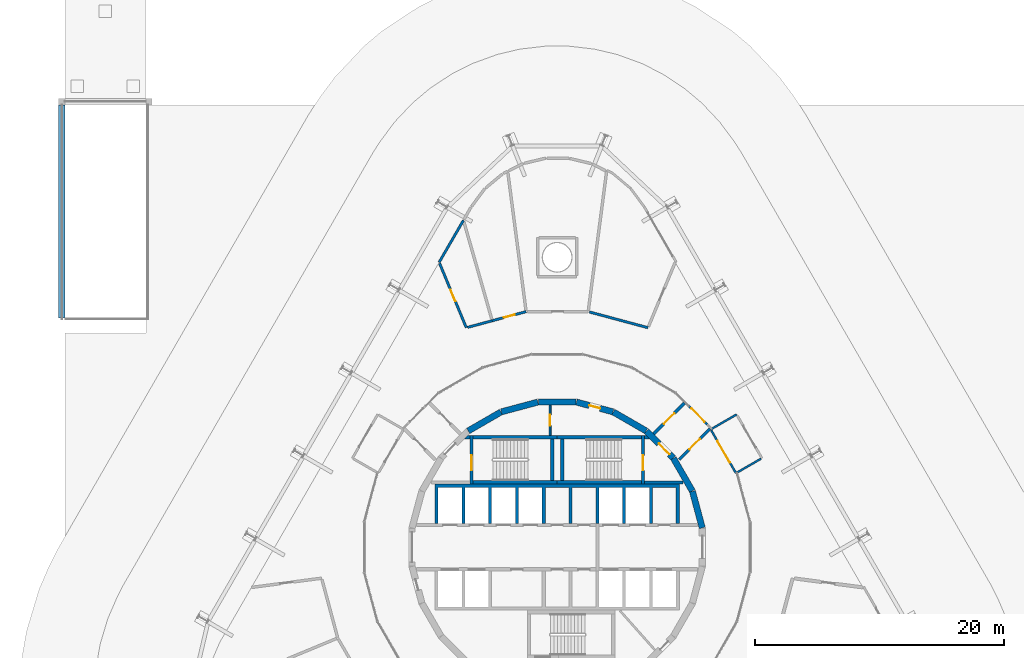
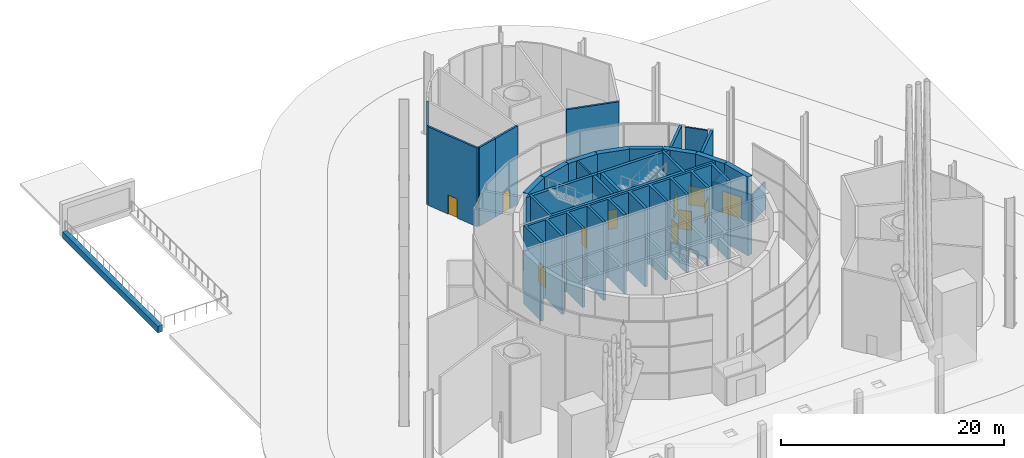
# One storey, part 17 of 21: 33 walls, 11 doors, 11 openings.
"""IFC4 building model written with IfcOpenShell, lengths in metres."""

from ifc_helpers import new_model, si_unit, direction, frame, frame_2d, origin, place, context, subcontext, project, spatial, polyline, rectangle, outline, extrude, material, layer, layer_set, type_object, element, fill, save


model = new_model("IFC4")

# Units and contexts
model_context = context("Model", 3, precision=1e-05, world=origin(), true_north=direction((0.0, 1.0)))
body_context = subcontext(model_context, "Body", "Model", "MODEL_VIEW")
ifc_project = project(units=[si_unit("LENGTHUNIT", "METRE"), si_unit("AREAUNIT", "SQUARE_METRE"), si_unit("VOLUMEUNIT", "CUBIC_METRE"), si_unit("PLANEANGLEUNIT", "RADIAN"), si_unit("MASSUNIT", "GRAM", prefix="KILO")], contexts=[model_context])

# Site, building, storey
site_placement = place(None, origin())
site = spatial("IfcSite", under=ifc_project, at=site_placement, CompositionType="ELEMENT")
building_placement = place(site_placement, origin())
building = spatial("IfcBuilding", under=site, at=building_placement, Name="Spindle Arch Residences", CompositionType="ELEMENT")
storey_placement = place(building_placement, origin())
storey = spatial("IfcBuildingStorey", under=building, at=storey_placement, Name="L00", CompositionType="ELEMENT", Elevation=0.0)

# Walls
ifc_material_1 = material(Name="Concrete C50/60", Category="concrete")
ifc_layer_1 = layer(ifc_material_1, 0.5)
ifc_layer_set_1 = layer_set([ifc_layer_1], Name="Core outline wall 500")
wall_type_1 = type_object("IfcWallType", Name="Core outline wall 500", PredefinedType="SHEAR", material=ifc_layer_set_1)
for number, where, z_axis, x_axis, name in (
    (1, (11.642822265625, 1.5498046875, 0.0), (0.0, 0.0, 1.0), (-0.258734743916, 0.965948410781, 0.0), "Core outline wall 7"),
    (2, (10.84521484375, 4.510498046875, 0.0), (0.0, 0.0, 1.0), (-0.500087131594, 0.865975092491, 0.0), "Core outline wall 8"),
):
    element("IfcWall", number, at=place(storey_placement, frame(where, z_axis=z_axis, x_axis=x_axis)), inside=storey, type_object=wall_type_1, Name=name, PredefinedType="SHEAR", context=body_context, shape_type="SweptSolid", body=[
        extrude(rectangle(XDim=3.03271484375, YDim=0.5, at=frame_2d((1.516357421875, 0.0))), origin(), (0.0, 0.0, 1.0), 8.6201171875),
    ])

# Wall, opening, door
wall_1_placement = place(storey_placement, frame((9.30810546875, 7.163818359375, 0.0), z_axis=(0.0, 0.0, 1.0), x_axis=(-0.707106781187, 0.707106781187, 0.0)))
wall_1 = element("IfcWall", 3, at=wall_1_placement, inside=storey, type_object=wall_type_1, Name="Core outline wall 9", PredefinedType="SHEAR", context=body_context, shape_type="SweptSolid", body=[
    extrude(rectangle(XDim=3.032470703125, YDim=0.5, at=frame_2d((1.51611328125, 0.0))), origin(), (0.0, 0.0, 1.0), 8.6201171875),
])
opening_1_placement = place(wall_1_placement, frame((0.416259765625, 0.0, 0.0)))
opening_1 = element("IfcOpeningElement", 4, at=opening_1_placement, cuts=wall_1, Name="Opening L00-AD01", PredefinedType="OPENING", context=body_context, shape_type="SweptSolid", body=[
    extrude(rectangle(XDim=1.199951171875, YDim=2.10009765625, at=frame_2d((0.60009765625, 1.050048828125))), frame((0.0, 0.260009765625, 0.0), z_axis=(0.0, -1.0, 0.0), x_axis=(1.0, 0.0, 0.0)), (0.0, 0.0, 1.0), 0.52001953125),
])
ifc_material_2 = material(Name="Steel, fire-resisting door", Category="steel")
door_type_1 = type_object("IfcDoorType", Name="Stair airlock door 1200x2100", OperationType="SINGLE_SWING_LEFT", PredefinedType="DOOR", material=ifc_material_2)
door_1_placement = place(opening_1_placement, origin())
door_1 = element("IfcDoor", 5, at=door_1_placement, inside=storey, type_object=door_type_1, Name="Stair airlock door L00-AD01", OperationType="SINGLE_SWING_RIGHT", OverallHeight=2.10009765625, OverallWidth=1.199951171875, PredefinedType="DOOR", context=body_context, shape_type="SweptSolid", body=[
    extrude(rectangle(XDim=1.199951171875, YDim=2.10009765625, at=frame_2d((0.60009765625, 1.050048828125))), frame((0.0, 0.02490234375, 0.0), z_axis=(0.0, -1.0, 0.0), x_axis=(1.0, 0.0, 0.0)), (0.0, 0.0, 1.0), 0.050048828125),
])
fill(opening_1, door_1)

# Wall
wall_2_placement = place(storey_placement, frame((7.13671875, 9.32861328125, 0.0), z_axis=(0.0, 0.0, 1.0), x_axis=(-0.865975092491, 0.500087131594, 0.0)))
element("IfcWall", 6, at=wall_2_placement, inside=storey, type_object=wall_type_1, Name="Core outline wall 10", PredefinedType="SHEAR", context=body_context, shape_type="SweptSolid", body=[
    extrude(rectangle(XDim=3.03271484375, YDim=0.5, at=frame_2d((1.516357421875, 0.0))), origin(), (0.0, 0.0, 1.0), 8.6201171875),
])

# Wall, opening, door
wall_3_placement = place(storey_placement, frame((4.479248046875, 10.858154296875, 0.0), z_axis=(0.0, 0.0, 1.0), x_axis=(-0.965948410781, 0.258734743916, 0.0)))
wall_3 = element("IfcWall", 7, at=wall_3_placement, inside=storey, type_object=wall_type_1, Name="Core outline wall 11", PredefinedType="SHEAR", context=body_context, shape_type="SweptSolid", body=[
    extrude(rectangle(XDim=3.03271484375, YDim=0.5, at=frame_2d((1.516357421875, 0.0))), origin(), (0.0, 0.0, 1.0), 8.6201171875),
])
opening_2_placement = place(wall_3_placement, frame((1.066162109375, 0.0, 0.0)))
opening_2 = element("IfcOpeningElement", 8, at=opening_2_placement, cuts=wall_3, Name="Opening L00-WD12", PredefinedType="OPENING", context=body_context, shape_type="SweptSolid", body=[
    extrude(rectangle(XDim=0.89990234375, YDim=2.10009765625, at=frame_2d((0.449951171875, 1.050048828125))), frame((0.0, 0.260009765625, 0.0), z_axis=(0.0, -1.0, 0.0), x_axis=(1.0, 0.0, 0.0)), (0.0, 0.0, 1.0), 0.52001953125),
])
ifc_material_3 = material(Name="Steel, fire-resisting door", Category="steel")
door_type_2 = type_object("IfcDoorType", Name="Service room door 900x2100", OperationType="SINGLE_SWING_LEFT", PredefinedType="DOOR", material=ifc_material_3)
door_2_placement = place(opening_2_placement, origin())
door_2 = element("IfcDoor", 9, at=door_2_placement, inside=storey, type_object=door_type_2, Name="Service room door L00-WD12", OperationType="SINGLE_SWING_LEFT", OverallHeight=2.10009765625, OverallWidth=0.89990234375, PredefinedType="DOOR", context=body_context, shape_type="SweptSolid", body=[
    extrude(rectangle(XDim=0.89990234375, YDim=2.10009765625, at=frame_2d((0.449951171875, 1.050048828125))), frame((0.0, 0.02490234375, 0.0), z_axis=(0.0, -1.0, 0.0), x_axis=(1.0, 0.0, 0.0)), (0.0, 0.0, 1.0), 0.050048828125),
])
fill(opening_2, door_2)

# Walls
for number, where, z_axis, x_axis, name in (
    (10, (1.516357421875, 11.647216796875, 0.0), (0.0, 0.0, 1.0), (-1.0, 0.0, 0.0), "Core outline wall 12"),
    (11, (-1.5498046875, 11.642822265625, 0.0), (0.0, 0.0, 1.0), (-0.965948410781, -0.258734743916, 0.0), "Core outline wall 13"),
    (12, (-4.510498046875, 10.84521484375, 0.0), (0.0, 0.0, 1.0), (-0.865975092491, -0.500087131594, 0.0), "Core outline wall 14"),
):
    element("IfcWall", number, at=place(storey_placement, frame(where, z_axis=z_axis, x_axis=x_axis)), inside=storey, type_object=wall_type_1, Name=name, PredefinedType="SHEAR", context=body_context, shape_type="SweptSolid", body=[
        extrude(rectangle(XDim=3.03271484375, YDim=0.5, at=frame_2d((1.516357421875, 0.0))), origin(), (0.0, 0.0, 1.0), 8.6201171875),
    ])

# Wall, opening, door
ifc_material_4 = material(Name="Non-combustible mineral wool insulated aluminium faced external wall (K0)", Category="aluminium")
ifc_layer_2 = layer(ifc_material_4, 0.159912109375)
ifc_layer_set_2 = layer_set([ifc_layer_2], Name="Exit door wall 160")
wall_type_2 = type_object("IfcWallType", Name="Exit door wall 160", PredefinedType="STANDARD", material=ifc_layer_set_2)
wall_4_placement = place(storey_placement, frame((10.56201171875, 11.3251953125, 0.0), z_axis=(0.0, 0.0, 1.0), x_axis=(0.707106781187, -0.707106781187, 0.0)))
wall_4 = element("IfcWall", 13, at=wall_4_placement, inside=storey, type_object=wall_type_2, Name="Stair exit wall NE", PredefinedType="STANDARD", context=body_context, shape_type="SweptSolid", body=[
    extrude(rectangle(XDim=2.099853515625, YDim=0.159912109375, at=frame_2d((1.0498046875, 0.0))), origin(), (0.0, 0.0, 1.0), 8.5),
])
opening_3_placement = place(wall_4_placement, frame((0.300048828125, 0.0, 0.0)))
opening_3 = element("IfcOpeningElement", 14, at=opening_3_placement, cuts=wall_4, Name="Opening STAIR-EXIT-NE", PredefinedType="OPENING", context=body_context, shape_type="SweptSolid", body=[
    extrude(rectangle(XDim=1.5, YDim=2.10009765625, at=frame_2d((0.75, 1.050048828125))), frame((0.0, 0.08984375, 0.0), z_axis=(0.0, -1.0, 0.0), x_axis=(1.0, 0.0, 0.0)), (0.0, 0.0, 1.0), 0.179931640625),
])
ifc_material_5 = material(Name="Fire-resisting bronze aluminium frame and glazed leaves", Category="aluminium")
door_type_3 = type_object("IfcDoorType", Name="Stair exit door EI 60 1500x2100", OperationType="DOUBLE_DOOR_SINGLE_SWING", PredefinedType="DOOR", material=ifc_material_5)
door_3_placement = place(opening_3_placement, origin())
door_3 = element("IfcDoor", 15, at=door_3_placement, inside=storey, type_object=door_type_3, Name="Stair exit door NE", OperationType="DOUBLE_DOOR_SINGLE_SWING", OverallHeight=2.10009765625, OverallWidth=1.5, PredefinedType="DOOR", context=body_context, shape_type="SweptSolid", body=[
    extrude(rectangle(XDim=1.5, YDim=2.10009765625, at=frame_2d((0.75, 1.050048828125))), frame((0.0, 0.02490234375, 0.0), z_axis=(0.0, -1.0, 0.0), x_axis=(1.0, 0.0, 0.0)), (0.0, 0.0, 1.0), 0.050048828125),
])
fill(opening_3, door_3)

# Walls
ifc_material_6 = material(Name="Concrete C50/60", Category="concrete")
wall_type_3 = type_object("IfcWallType", Name="Lift shaft wall profile", PredefinedType="SHEAR", material=ifc_material_6)
wall_5_placement = place(storey_placement, origin())
element("IfcWall", 16, at=wall_5_placement, inside=storey, type_object=wall_type_3, Name="Lift shaft walls N", PredefinedType="SHEAR", context=body_context, shape_type="SweptSolid", body=[
    extrude(outline(polyline([(-9.550048828125, 4.800048828125), (-7.64990234375, 4.800048828125), (-7.64990234375, 1.89990234375), (-7.39990234375, 1.89990234375), (-7.39990234375, 4.800048828125), (-5.5, 4.800048828125), (-5.5, 1.89990234375), (-5.25, 1.89990234375), (-5.25, 4.800048828125), (-3.35009765625, 4.800048828125), (-3.35009765625, 1.89990234375), (-3.10009765625, 1.89990234375), (-3.10009765625, 4.800048828125), (-1.199951171875, 4.800048828125), (-1.199951171875, 1.89990234375), (-0.949951171875, 1.89990234375), (-0.949951171875, 4.800048828125), (0.949951171875, 4.800048828125), (0.949951171875, 1.89990234375), (1.199951171875, 1.89990234375), (1.199951171875, 4.800048828125), (3.10009765625, 4.800048828125), (3.10009765625, 1.89990234375), (3.35009765625, 1.89990234375), (3.35009765625, 4.800048828125), (5.25, 4.800048828125), (5.25, 1.89990234375), (5.5, 1.89990234375), (5.5, 4.800048828125), (7.39990234375, 4.800048828125), (7.39990234375, 1.89990234375), (7.64990234375, 1.89990234375), (7.64990234375, 4.800048828125), (9.550048828125, 4.800048828125), (9.550048828125, 1.89990234375), (9.800048828125, 1.89990234375), (9.800048828125, 4.800048828125), (9.800048828125, 5.050048828125), (-9.800048828125, 5.050048828125), (-9.800048828125, 4.800048828125), (-9.800048828125, 1.89990234375), (-9.550048828125, 1.89990234375), (-9.550048828125, 4.800048828125)])), origin(), (0.0, 0.0, 1.0), 8.6201171875),
])
ifc_material_7 = material(Name="Concrete C40/50 wall with non-combustible insulated cladding (K0)", Category="concrete")
ifc_layer_3 = layer(ifc_material_7, 0.159912109375)
ifc_layer_set_3 = layer_set([ifc_layer_3], Name="Partition E 60 160 external")
wall_type_4 = type_object("IfcWallType", Name="Partition E 60 160 external", PredefinedType="PARTITIONING", material=ifc_layer_set_3)
wall_6_placement = place(storey_placement, frame((12.320068359375, 9.449951171875, 0.0), z_axis=(0.0, 0.0, 1.0), x_axis=(0.866177122335, 0.499737123639, 0.0)))
element("IfcWall", 17, at=wall_6_placement, inside=storey, type_object=wall_type_4, Name="L00-W047", PredefinedType="PARTITIONING", context=body_context, shape_type="SweptSolid", body=[
    extrude(rectangle(XDim=2.401123046875, YDim=0.159912109375, at=frame_2d((1.20068359375, 0.0))), origin(), (0.0, 0.0, 1.0), 3.0),
])

# Wall, opening, door
wall_7_placement = place(storey_placement, frame((14.35009765625, 5.93994140625, 0.0), z_axis=(0.0, 0.0, 1.0), x_axis=(-0.500636730463, 0.865657475051, 0.0)))
wall_7 = element("IfcWall", 18, at=wall_7_placement, inside=storey, type_object=wall_type_4, Name="L00-W048", PredefinedType="PARTITIONING", context=body_context, shape_type="SweptSolid", body=[
    extrude(rectangle(XDim=3.974853515625, YDim=0.159912109375, at=frame_2d((1.9873046875, 0.0))), origin(), (0.0, 0.0, 1.0), 3.0),
])
opening_4_placement = place(wall_7_placement, frame((0.9873046875, 0.0, 0.0)))
opening_4 = element("IfcOpeningElement", 19, at=opening_4_placement, cuts=wall_7, Name="Opening L00-D10", PredefinedType="OPENING", context=body_context, shape_type="SweptSolid", body=[
    extrude(rectangle(XDim=2.0, YDim=2.39990234375, at=frame_2d((1.0, 1.199951171875))), frame((0.0, 0.08984375, 0.0), z_axis=(0.0, -1.0, 0.0), x_axis=(1.0, 0.0, 0.0)), (0.0, 0.0, 1.0), 0.179931640625),
])
ifc_material_8 = material(Name="Bronze aluminium frame, toughened tinted glass", Category="aluminium")
door_type_4 = type_object("IfcDoorType", Name="Lobby entrance double door EI 60 2000x2400", OperationType="DOUBLE_DOOR_SINGLE_SWING", PredefinedType="DOOR", material=ifc_material_8)
door_4_placement = place(opening_4_placement, origin())
door_4 = element("IfcDoor", 20, at=door_4_placement, inside=storey, type_object=door_type_4, Name="L00-D10", OperationType="DOUBLE_DOOR_SINGLE_SWING", OverallHeight=2.39990234375, OverallWidth=2.0, PredefinedType="DOOR", context=body_context, shape_type="SweptSolid", body=[
    extrude(rectangle(XDim=2.0, YDim=2.39990234375, at=frame_2d((1.0, 1.199951171875))), frame((0.0, 0.02490234375, 0.0), z_axis=(0.0, -1.0, 0.0), x_axis=(1.0, 0.0, 0.0)), (0.0, 0.0, 1.0), 0.050048828125),
])
fill(opening_4, door_4)

# Walls
wall_8_placement = place(storey_placement, frame((16.360595703125, 7.10009765625, 0.0), z_axis=(0.0, 0.0, 1.0), x_axis=(-0.866171078478, -0.499747599102, 0.0)))
element("IfcWall", 21, at=wall_8_placement, inside=storey, type_object=wall_type_4, Name="L00-W053", PredefinedType="PARTITIONING", context=body_context, shape_type="SweptSolid", body=[
    extrude(rectangle(XDim=2.241455078125, YDim=0.159912109375, at=frame_2d((1.12060546875, 0.0))), origin(), (0.0, 0.0, 1.0), 3.0),
])
ifc_material_9 = material(Name="Gypsum board partition on steel studs", Category="steel")
ifc_layer_4 = layer(ifc_material_9, 0.199951171875)
ifc_layer_set_4 = layer_set([ifc_layer_4], Name="Partition EI 60 200 amenity")
wall_type_5 = type_object("IfcWallType", Name="Partition EI 60 200 amenity", PredefinedType="PARTITIONING", material=ifc_layer_set_4)
wall_9_placement = place(storey_placement, frame((-9.469970703125, 22.860107421875, 0.0), z_axis=(0.0, 0.0, 1.0), x_axis=(0.500838510154, 0.865540748172, 0.0)))
element("IfcWall", 22, at=wall_9_placement, inside=storey, type_object=wall_type_5, Name="L00-W017", PredefinedType="PARTITIONING", context=body_context, shape_type="SweptSolid", body=[
    extrude(rectangle(XDim=3.893310546875, YDim=0.199951171875, at=frame_2d((1.94677734375, 0.0))), origin(), (0.0, 0.0, 1.0), 8.6201171875),
])

# Wall, opening, door
wall_10_placement = place(storey_placement, frame((-7.2900390625, 17.610107421875, 0.0), z_axis=(0.0, 0.0, 1.0), x_axis=(-0.38349447123, 0.923543171994, 0.0)))
wall_10 = element("IfcWall", 23, at=wall_10_placement, inside=storey, type_object=wall_type_5, Name="L00-W019", PredefinedType="PARTITIONING", context=body_context, shape_type="SweptSolid", body=[
    extrude(rectangle(XDim=5.58447265625, YDim=0.199951171875, at=frame_2d((2.792236328125, 0.0))), origin(), (0.0, 0.0, 1.0), 8.6201171875),
])
opening_5_placement = place(wall_10_placement, frame((2.292236328125, 0.0, 0.0)))
opening_5 = element("IfcOpeningElement", 24, at=opening_5_placement, cuts=wall_10, Name="Opening L00-D12", PredefinedType="OPENING", context=body_context, shape_type="SweptSolid", body=[
    extrude(rectangle(XDim=1.0, YDim=2.10009765625, at=frame_2d((0.5, 1.050048828125))), frame((0.0, 0.10986328125, 0.0), z_axis=(0.0, -1.0, 0.0), x_axis=(1.0, 0.0, 0.0)), (0.0, 0.0, 1.0), 0.219970703125),
])
ifc_material_10 = material(Name="Timber door leaf", Category="wood")
door_type_5 = type_object("IfcDoorType", Name="Door 1000x2100 EI 30", OperationType="SINGLE_SWING_LEFT", PredefinedType="DOOR", material=ifc_material_10)
door_5_placement = place(opening_5_placement, origin())
door_5 = element("IfcDoor", 25, at=door_5_placement, inside=storey, type_object=door_type_5, Name="L00-D12", OperationType="SINGLE_SWING_LEFT", OverallHeight=2.10009765625, OverallWidth=1.0, PredefinedType="DOOR", context=body_context, shape_type="SweptSolid", body=[
    extrude(rectangle(XDim=1.0, YDim=2.10009765625, at=frame_2d((0.5, 1.050048828125))), frame((0.0, 0.02490234375, 0.0), z_axis=(0.0, -1.0, 0.0), x_axis=(1.0, 0.0, 0.0)), (0.0, 0.0, 1.0), 0.050048828125),
])
fill(opening_5, door_5)

# Wall
wall_11_placement = place(storey_placement, frame((-5.2099609375, 18.169921875, 0.0), z_axis=(0.0, 0.0, 1.0), x_axis=(-0.965622643893, -0.259947897858, 0.0)))
element("IfcWall", 26, at=wall_11_placement, inside=storey, type_object=wall_type_5, Name="L00-W023", PredefinedType="PARTITIONING", context=body_context, shape_type="SweptSolid", body=[
    extrude(rectangle(XDim=2.053955078125, YDim=0.199951171875, at=frame_2d((1.02685546875, 0.0))), origin(), (0.0, 0.0, 1.0), 8.6201171875),
])

# Wall, opening, door
wall_12_placement = place(storey_placement, frame((-2.489990234375, 18.89990234375, 0.0), z_axis=(0.0, 0.0, 1.0), x_axis=(-0.965822195796, -0.25920549012, 0.0)))
wall_12 = element("IfcWall", 27, at=wall_12_placement, inside=storey, type_object=wall_type_5, Name="L00-W027", PredefinedType="PARTITIONING", context=body_context, shape_type="SweptSolid", body=[
    extrude(rectangle(XDim=2.816162109375, YDim=0.199951171875, at=frame_2d((1.408203125, 0.0))), origin(), (0.0, 0.0, 1.0), 8.6201171875),
])
opening_6_placement = place(wall_12_placement, frame((0.9580078125, 0.0, 0.0)))
opening_6 = element("IfcOpeningElement", 28, at=opening_6_placement, cuts=wall_12, Name="Opening L00-D14", PredefinedType="OPENING", context=body_context, shape_type="SweptSolid", body=[
    extrude(rectangle(XDim=0.89990234375, YDim=2.10009765625, at=frame_2d((0.449951171875, 1.050048828125))), frame((0.0, 0.10986328125, 0.0), z_axis=(0.0, -1.0, 0.0), x_axis=(1.0, 0.0, 0.0)), (0.0, 0.0, 1.0), 0.219970703125),
])
ifc_material_11 = material(Name="Timber door leaf", Category="wood")
door_type_6 = type_object("IfcDoorType", Name="Door 900x2100 EI 30", OperationType="SINGLE_SWING_LEFT", PredefinedType="DOOR", material=ifc_material_11)
door_6_placement = place(opening_6_placement, origin())
door_6 = element("IfcDoor", 29, at=door_6_placement, inside=storey, type_object=door_type_6, Name="L00-D14", OperationType="SINGLE_SWING_LEFT", OverallHeight=2.10009765625, OverallWidth=0.89990234375, PredefinedType="DOOR", context=body_context, shape_type="SweptSolid", body=[
    extrude(rectangle(XDim=0.89990234375, YDim=2.10009765625, at=frame_2d((0.449951171875, 1.050048828125))), frame((0.0, 0.02490234375, 0.0), z_axis=(0.0, -1.0, 0.0), x_axis=(1.0, 0.0, 0.0)), (0.0, 0.0, 1.0), 0.050048828125),
])
fill(opening_6, door_6)

# Wall
wall_13_placement = place(storey_placement, frame((7.2900390625, 17.610107421875, 0.0), z_axis=(0.0, 0.0, 1.0), x_axis=(-0.965738104821, 0.259518617631, 0.0)))
element("IfcWall", 30, at=wall_13_placement, inside=storey, type_object=wall_type_5, Name="L00-W042", PredefinedType="PARTITIONING", context=body_context, shape_type="SweptSolid", body=[
    extrude(rectangle(XDim=4.8701171875, YDim=0.199951171875, at=frame_2d((2.43505859375, 0.0))), origin(), (0.0, 0.0, 1.0), 8.6201171875),
])

# Wall, opening, door
ifc_material_12 = material(Name="Concrete C25/30 wall", Category="concrete")
ifc_layer_5 = layer(ifc_material_12, 0.25)
ifc_layer_set_5 = layer_set([ifc_layer_5], Name="Partition REI 240 250 stair")
wall_type_6 = type_object("IfcWallType", Name="Partition REI 240 250 stair", PredefinedType="PARTITIONING", material=ifc_layer_set_5)
wall_14_placement = place(storey_placement, frame((7.739990234375, 9.080078125, 0.0), z_axis=(0.0, 0.0, 1.0), x_axis=(0.707106781187, 0.707106781187, 0.0)))
wall_14 = element("IfcWall", 31, at=wall_14_placement, inside=storey, type_object=wall_type_6, Name="L00-W043", PredefinedType="PARTITIONING", context=body_context, shape_type="SweptSolid", body=[
    extrude(rectangle(XDim=3.50732421875, YDim=0.25, at=frame_2d((1.753662109375, 0.0))), origin(), (0.0, 0.0, 1.0), 8.6201171875),
])
opening_7_placement = place(wall_14_placement, frame((1.153564453125, 0.0, 0.0)))
opening_7 = element("IfcOpeningElement", 32, at=opening_7_placement, cuts=wall_14, Name="Opening L00-D16", PredefinedType="OPENING", context=body_context, shape_type="SweptSolid", body=[
    extrude(rectangle(XDim=1.199951171875, YDim=2.10009765625, at=frame_2d((0.60009765625, 1.050048828125))), frame((0.0, 0.135009765625, 0.0), z_axis=(0.0, -1.0, 0.0), x_axis=(1.0, 0.0, 0.0)), (0.0, 0.0, 1.0), 0.27001953125),
])
ifc_material_13 = material(Name="Steel door leaf, painted", Category="steel")
door_type_7 = type_object("IfcDoorType", Name="Door 1200x2100 EI 60", OperationType="SINGLE_SWING_LEFT", PredefinedType="DOOR", material=ifc_material_13)
door_7_placement = place(opening_7_placement, origin())
door_7 = element("IfcDoor", 33, at=door_7_placement, inside=storey, type_object=door_type_7, Name="L00-D16", OperationType="SINGLE_SWING_LEFT", OverallHeight=2.10009765625, OverallWidth=1.199951171875, PredefinedType="DOOR", context=body_context, shape_type="SweptSolid", body=[
    extrude(rectangle(XDim=1.199951171875, YDim=2.10009765625, at=frame_2d((0.60009765625, 1.050048828125))), frame((0.0, 0.02490234375, 0.0), z_axis=(0.0, -1.0, 0.0), x_axis=(1.0, 0.0, 0.0)), (0.0, 0.0, 1.0), 0.050048828125),
])
fill(opening_7, door_7)

wall_15_placement = place(storey_placement, frame((12.27001953125, 9.510009765625, 0.0), z_axis=(0.0, 0.0, 1.0), x_axis=(-0.707106781187, -0.707106781187, 0.0)))
wall_15 = element("IfcWall", 34, at=wall_15_placement, inside=storey, type_object=wall_type_6, Name="L00-W046", PredefinedType="PARTITIONING", context=body_context, shape_type="SweptSolid", body=[
    extrude(rectangle(XDim=3.50732421875, YDim=0.25, at=frame_2d((1.753662109375, 0.0))), origin(), (0.0, 0.0, 1.0), 8.6201171875),
])
opening_8_placement = place(wall_15_placement, frame((1.153564453125, 0.0, 0.0)))
opening_8 = element("IfcOpeningElement", 35, at=opening_8_placement, cuts=wall_15, Name="Opening L00-D17", PredefinedType="OPENING", context=body_context, shape_type="SweptSolid", body=[
    extrude(rectangle(XDim=1.199951171875, YDim=2.10009765625, at=frame_2d((0.60009765625, 1.050048828125))), frame((0.0, 0.135009765625, 0.0), z_axis=(0.0, -1.0, 0.0), x_axis=(1.0, 0.0, 0.0)), (0.0, 0.0, 1.0), 0.27001953125),
])
door_8_placement = place(opening_8_placement, origin())
door_8 = element("IfcDoor", 36, at=door_8_placement, inside=storey, type_object=door_type_7, Name="L00-D17", OperationType="SINGLE_SWING_LEFT", OverallHeight=2.10009765625, OverallWidth=1.199951171875, PredefinedType="DOOR", context=body_context, shape_type="SweptSolid", body=[
    extrude(rectangle(XDim=1.199951171875, YDim=2.10009765625, at=frame_2d((0.60009765625, 1.050048828125))), frame((0.0, 0.02490234375, 0.0), z_axis=(0.0, -1.0, 0.0), x_axis=(1.0, 0.0, 0.0)), (0.0, 0.0, 1.0), 0.050048828125),
])
fill(opening_8, door_8)

# Wall
ifc_material_14 = material(Name="Concrete C32/40", Category="concrete")
ifc_layer_6 = layer(ifc_material_14, 0.300048828125)
ifc_layer_set_6 = layer_set([ifc_layer_6], Name="Ramp retaining wall 300")
wall_type_7 = type_object("IfcWallType", Name="Ramp retaining wall 300", PredefinedType="SOLIDWALL", material=ifc_layer_set_6)
wall_16_placement = place(storey_placement, frame((-39.75, 18.39990234375, -0.699951171875), z_axis=(0.0, 0.0, 1.0), x_axis=(0.0, 1.0, 0.0)))
element("IfcWall", 37, at=wall_16_placement, inside=storey, type_object=wall_type_7, Name="Ramp trench wall", PredefinedType="SOLIDWALL", context=body_context, shape_type="SweptSolid", body=[
    extrude(rectangle(XDim=17.10009765625, YDim=0.5, at=frame_2d((8.550048828125, 0.0))), origin(), (0.0, 0.0, 1.0), 0.699951171875),
])

# Wall, opening, door
ifc_material_15 = material(Name="Concrete C25/30", Category="concrete")
ifc_layer_7 = layer(ifc_material_15, 0.14990234375)
ifc_layer_set_7 = layer_set([ifc_layer_7], Name="Service room partition 150")
wall_type_8 = type_object("IfcWallType", Name="Service room partition 150", PredefinedType="PARTITIONING", material=ifc_layer_set_7)
wall_17_placement = place(storey_placement, frame((-0.5615234375, 8.969970703125, 0.0), z_axis=(0.0, 0.0, 1.0), x_axis=(0.0, 1.0, 0.0)))
wall_17 = element("IfcWall", 38, at=wall_17_placement, inside=storey, type_object=wall_type_8, Name="Core service room partition", PredefinedType="PARTITIONING", context=body_context, shape_type="SweptSolid", body=[
    extrude(rectangle(XDim=2.42724609375, YDim=0.14990234375, at=frame_2d((1.213623046875, 0.0))), origin(), (0.0, 0.0, 1.0), 8.6201171875),
])
opening_9_placement = place(wall_17_placement, frame((0.763671875, 0.0, 0.0)))
opening_9 = element("IfcOpeningElement", 39, at=opening_9_placement, cuts=wall_17, Name="Opening L00-WD07", PredefinedType="OPENING", context=body_context, shape_type="SweptSolid", body=[
    extrude(rectangle(XDim=0.89990234375, YDim=2.10009765625, at=frame_2d((0.449951171875, 1.050048828125))), frame((0.0, 0.0849609375, 0.0), z_axis=(0.0, -1.0, 0.0), x_axis=(1.0, 0.0, 0.0)), (0.0, 0.0, 1.0), 0.169921875),
])
door_9_placement = place(opening_9_placement, origin())
door_9 = element("IfcDoor", 40, at=door_9_placement, inside=storey, type_object=door_type_2, Name="Service room door L00-WD07", OperationType="SINGLE_SWING_RIGHT", OverallHeight=2.10009765625, OverallWidth=0.89990234375, PredefinedType="DOOR", context=body_context, shape_type="SweptSolid", body=[
    extrude(rectangle(XDim=0.89990234375, YDim=2.10009765625, at=frame_2d((0.449951171875, 1.050048828125))), frame((0.0, 0.02490234375, 0.0), z_axis=(0.0, -1.0, 0.0), x_axis=(1.0, 0.0, 0.0)), (0.0, 0.0, 1.0), 0.050048828125),
])
fill(opening_9, door_9)

# Walls
ifc_material_16 = material(Name="Concrete C40/50", Category="concrete")
ifc_layer_8 = layer(ifc_material_16, 0.25)
ifc_layer_set_8 = layer_set([ifc_layer_8], Name="Stair airlock wall 250")
wall_type_9 = type_object("IfcWallType", Name="Stair airlock wall 250", PredefinedType="SHEAR", material=ifc_layer_set_8)
wall_18_placement = place(storey_placement, frame((7.0, 5.175048828125, 0.0), z_axis=(0.0, 0.0, 1.0), x_axis=(1.0, 0.0, 0.0)))
element("IfcWall", 41, at=wall_18_placement, inside=storey, type_object=wall_type_9, Name="Stair ST-1 airlock wall S", PredefinedType="SHEAR", context=body_context, shape_type="SweptSolid", body=[
    extrude(rectangle(XDim=3.10009765625, YDim=0.25, at=frame_2d((1.550048828125, 0.0))), origin(), (0.0, 0.0, 1.0), 8.6201171875),
])
ifc_material_17 = material(Name="Concrete C40/50", Category="concrete")
wall_type_10 = type_object("IfcWallType", Name="Stair airlock wall profile", PredefinedType="SHEAR", material=ifc_material_17)
wall_19_placement = place(storey_placement, origin())
element("IfcWall", 42, at=wall_19_placement, inside=storey, type_object=wall_type_10, Name="Stair ST-1 airlock wall N", PredefinedType="SHEAR", context=body_context, shape_type="SweptSolid", body=[
    extrude(outline(polyline([(7.4482421875, 8.669921875), (7.0, 8.669921875), (7.0, 8.969970703125), (7.148193359375, 8.969970703125), (7.4482421875, 8.669921875)])), origin(), (0.0, 0.0, 1.0), 8.6201171875),
])
wall_20_placement = place(storey_placement, origin())
element("IfcWall", 43, at=wall_20_placement, inside=storey, type_object=wall_type_10, Name="Stair ST-2 airlock wall N", PredefinedType="SHEAR", context=body_context, shape_type="SweptSolid", body=[
    extrude(outline(polyline([(-7.148193359375, 8.969970703125), (-7.0, 8.969970703125), (-7.0, 8.669921875), (-7.4482421875, 8.669921875), (-7.148193359375, 8.969970703125)])), origin(), (0.0, 0.0, 1.0), 8.6201171875),
])

# Wall, opening, door
ifc_material_18 = material(Name="Concrete C50/60", Category="concrete")
ifc_layer_9 = layer(ifc_material_18, 0.25)
ifc_layer_set_9 = layer_set([ifc_layer_9], Name="Stair enclosure wall 250")
wall_type_11 = type_object("IfcWallType", Name="Stair enclosure wall 250", PredefinedType="SHEAR", material=ifc_layer_set_9)
wall_21_placement = place(storey_placement, frame((6.875, 5.050048828125, 0.0), z_axis=(0.0, 0.0, 1.0), x_axis=(0.0, 1.0, 0.0)))
wall_21 = element("IfcWall", 44, at=wall_21_placement, inside=storey, type_object=wall_type_11, Name="Stair ST-1 door wall", PredefinedType="SHEAR", context=body_context, shape_type="SweptSolid", body=[
    extrude(rectangle(XDim=3.919921875, YDim=0.25, at=frame_2d((1.9599609375, 0.0))), origin(), (0.0, 0.0, 1.0), 8.6201171875),
])
opening_10_placement = place(wall_21_placement, frame((1.110107421875, 0.0, 0.0)))
opening_10 = element("IfcOpeningElement", 45, at=opening_10_placement, cuts=wall_21, Name="Opening L00-SD01", PredefinedType="OPENING", context=body_context, shape_type="SweptSolid", body=[
    extrude(rectangle(XDim=1.199951171875, YDim=2.10009765625, at=frame_2d((0.60009765625, 1.050048828125))), frame((0.0, 0.135009765625, 0.0), z_axis=(0.0, -1.0, 0.0), x_axis=(1.0, 0.0, 0.0)), (0.0, 0.0, 1.0), 0.27001953125),
])
ifc_material_19 = material(Name="Steel, fire-resisting door", Category="steel")
door_type_8 = type_object("IfcDoorType", Name="Stair door 1200x2100", OperationType="SINGLE_SWING_RIGHT", PredefinedType="DOOR", material=ifc_material_19)
door_10_placement = place(opening_10_placement, origin())
door_10 = element("IfcDoor", 46, at=door_10_placement, inside=storey, type_object=door_type_8, Name="Stair door L00-SD01", OperationType="SINGLE_SWING_LEFT", OverallHeight=2.10009765625, OverallWidth=1.199951171875, PredefinedType="DOOR", context=body_context, shape_type="SweptSolid", body=[
    extrude(rectangle(XDim=1.199951171875, YDim=2.10009765625, at=frame_2d((0.60009765625, 1.050048828125))), frame((0.0, 0.02490234375, 0.0), z_axis=(0.0, -1.0, 0.0), x_axis=(1.0, 0.0, 0.0)), (0.0, 0.0, 1.0), 0.050048828125),
])
fill(opening_10, door_10)

wall_22_placement = place(storey_placement, frame((-6.875, 8.969970703125, 0.0), z_axis=(0.0, 0.0, 1.0), x_axis=(0.0, -1.0, 0.0)))
wall_22 = element("IfcWall", 47, at=wall_22_placement, inside=storey, type_object=wall_type_11, Name="Stair ST-2 door wall", PredefinedType="SHEAR", context=body_context, shape_type="SweptSolid", body=[
    extrude(rectangle(XDim=3.919921875, YDim=0.25, at=frame_2d((1.9599609375, 0.0))), origin(), (0.0, 0.0, 1.0), 8.6201171875),
])
opening_11_placement = place(wall_22_placement, frame((1.610107421875, 0.0, 0.0)))
opening_11 = element("IfcOpeningElement", 48, at=opening_11_placement, cuts=wall_22, Name="Opening L00-SD02", PredefinedType="OPENING", context=body_context, shape_type="SweptSolid", body=[
    extrude(rectangle(XDim=1.199951171875, YDim=2.10009765625, at=frame_2d((0.60009765625, 1.050048828125))), frame((0.0, 0.135009765625, 0.0), z_axis=(0.0, -1.0, 0.0), x_axis=(1.0, 0.0, 0.0)), (0.0, 0.0, 1.0), 0.27001953125),
])
door_11_placement = place(opening_11_placement, origin())
door_11 = element("IfcDoor", 49, at=door_11_placement, inside=storey, type_object=door_type_8, Name="Stair door L00-SD02", OperationType="SINGLE_SWING_LEFT", OverallHeight=2.10009765625, OverallWidth=1.199951171875, PredefinedType="DOOR", context=body_context, shape_type="SweptSolid", body=[
    extrude(rectangle(XDim=1.199951171875, YDim=2.10009765625, at=frame_2d((0.60009765625, 1.050048828125))), frame((0.0, 0.02490234375, 0.0), z_axis=(0.0, -1.0, 0.0), x_axis=(1.0, 0.0, 0.0)), (0.0, 0.0, 1.0), 0.050048828125),
])
fill(opening_11, door_11)

# Walls
ifc_material_20 = material(Name="Concrete C50/60", Category="concrete")
ifc_layer_10 = layer(ifc_material_20, 0.300048828125)
ifc_layer_set_10 = layer_set([ifc_layer_10], Name="Stair enclosure wall 300")
wall_type_12 = type_object("IfcWallType", Name="Stair enclosure wall 300", PredefinedType="SHEAR", material=ifc_layer_set_10)
for number, where, z_axis, x_axis, name in (
    (50, (0.0, 5.199951171875, 0.0), (0.0, 0.0, 1.0), (1.0, 0.0, 0.0), "Stair ST-1 enclosure wall S"),
    (51, (0.0, 8.820068359375, 0.0), (0.0, 0.0, 1.0), (1.0, 0.0, 0.0), "Stair ST-1 enclosure wall N"),
):
    element("IfcWall", number, at=place(storey_placement, frame(where, z_axis=z_axis, x_axis=x_axis)), inside=storey, type_object=wall_type_12, Name=name, PredefinedType="SHEAR", context=body_context, shape_type="SweptSolid", body=[
        extrude(rectangle(XDim=6.75, YDim=0.300048828125, at=frame_2d((3.375, 0.0))), origin(), (0.0, 0.0, 1.0), 8.6201171875),
    ])
wall_23_placement = place(storey_placement, frame((0.39990234375, 5.35009765625, 0.0), z_axis=(0.0, 0.0, 1.0), x_axis=(0.0, 1.0, 0.0)))
element("IfcWall", 52, at=wall_23_placement, inside=storey, type_object=wall_type_12, Name="Stair ST-1 enclosure wall F", PredefinedType="SHEAR", context=body_context, shape_type="SweptSolid", body=[
    extrude(rectangle(XDim=3.31982421875, YDim=0.300048828125, at=frame_2d((1.659912109375, 0.0))), origin(), (0.0, 0.0, 1.0), 8.6201171875),
])
for number, where, z_axis, x_axis, name in (
    (53, (-6.75, 5.199951171875, 0.0), (0.0, 0.0, 1.0), (1.0, 0.0, 0.0), "Stair ST-2 enclosure wall S"),
    (54, (-6.75, 8.820068359375, 0.0), (0.0, 0.0, 1.0), (1.0, 0.0, 0.0), "Stair ST-2 enclosure wall N"),
):
    element("IfcWall", number, at=place(storey_placement, frame(where, z_axis=z_axis, x_axis=x_axis)), inside=storey, type_object=wall_type_12, Name=name, PredefinedType="SHEAR", context=body_context, shape_type="SweptSolid", body=[
        extrude(rectangle(XDim=6.75, YDim=0.300048828125, at=frame_2d((3.375, 0.0))), origin(), (0.0, 0.0, 1.0), 8.6201171875),
    ])
wall_24_placement = place(storey_placement, frame((-0.39990234375, 5.35009765625, 0.0), z_axis=(0.0, 0.0, 1.0), x_axis=(0.0, 1.0, 0.0)))
element("IfcWall", 55, at=wall_24_placement, inside=storey, type_object=wall_type_12, Name="Stair ST-2 enclosure wall F", PredefinedType="SHEAR", context=body_context, shape_type="SweptSolid", body=[
    extrude(rectangle(XDim=3.31982421875, YDim=0.300048828125, at=frame_2d((1.659912109375, 0.0))), origin(), (0.0, 0.0, 1.0), 8.6201171875),
])

save(model, "model.ifc")
